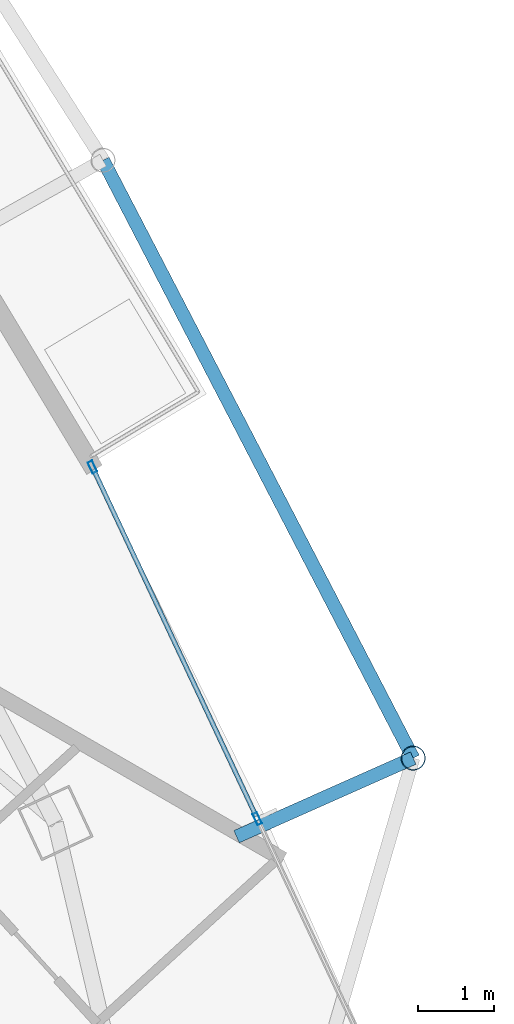
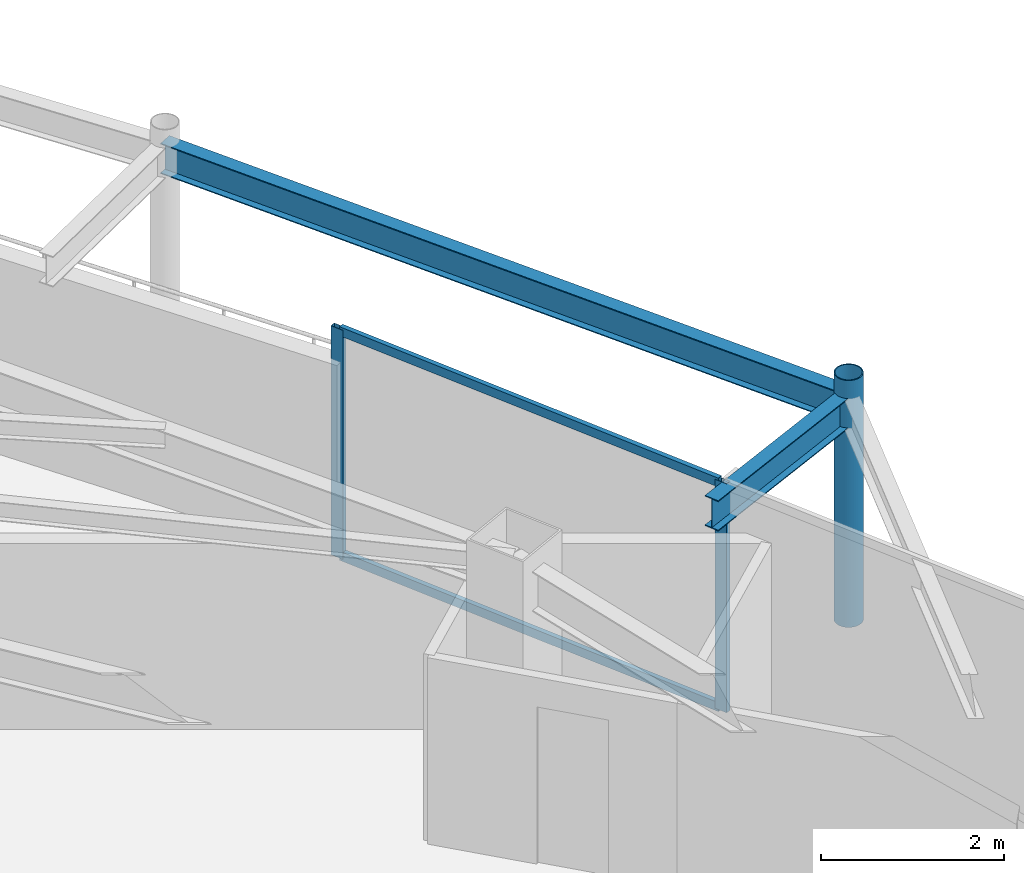
# One storey, part 20 of 34: 5 members, 2 beams, 1 element without a shape of its own.
"""IFC4 building model written with IfcOpenShell, lengths in metres."""

from ifc_helpers import new_model, si_unit, direction, frame, origin, origin_2d, place, context, subcontext, project, spatial, hollow_rectangle, hollow_circle, i_section, extrude, material, layer, layer_set, material_profile, profile_set, type_object, element, aggregate, save


model = new_model("IFC4")

# Units and contexts
model_context = context("Model", 3, precision=1e-05, world=origin(), true_north=direction((0.0, 1.0)))
body_context = subcontext(model_context, "Body", "Model", "MODEL_VIEW")
ifc_project = project(units=[si_unit("LENGTHUNIT", "METRE"), si_unit("AREAUNIT", "SQUARE_METRE"), si_unit("VOLUMEUNIT", "CUBIC_METRE"), si_unit("PLANEANGLEUNIT", "RADIAN"), si_unit("MASSUNIT", "GRAM", prefix="KILO")], contexts=[model_context])

# Site, building, storey
site_placement = place(None, origin())
site = spatial("IfcSite", under=ifc_project, at=site_placement, CompositionType="ELEMENT")
building_placement = place(site_placement, origin())
building = spatial("IfcBuilding", under=site, at=building_placement, Name="Orvanel Arch Residences", CompositionType="ELEMENT")
storey_placement = place(building_placement, frame((0.0, 0.0, 199.699951171875)))
storey = spatial("IfcBuildingStorey", under=building, at=storey_placement, Name="L56", CompositionType="ELEMENT", Elevation=199.699951171875)

# Curtain wall, members
ifc_material_1 = material(Name="Bronze-anodised aluminium AA6063-T6", Category="aluminium")
ifc_layer = layer(ifc_material_1, 0.175048828125)
ifc_layer_set = layer_set([ifc_layer], Name="Bronze-anodised aluminium AA6063-T6")
curtain_wall_type = type_object("IfcCurtainWallType", Name="CW4-HI-SYS", PredefinedType="NOTDEFINED", material=ifc_layer_set)
curtain_wall_placement = place(storey_placement, origin())
curtain_wall = element("IfcCurtainWall", 1, at=curtain_wall_placement, inside=storey, type_object=curtain_wall_type, Name="L56 CW4-HI-SYS Unitised Curtain Wall", PredefinedType="NOTDEFINED")
ifc_material_profile_1 = material_profile(ifc_material_1, hollow_rectangle(XDim=0.06494140625, YDim=0.159912109375, WallThickness=0.00390625, at=origin_2d()), Name="ALU160x65x4")
ifc_profile_set_1 = profile_set([ifc_material_profile_1], Name="Bronze-anodised aluminium AA6063-T6")
member_type_1 = type_object("IfcMemberType", Name="MUL-160x65", PredefinedType="MULLION", material=ifc_profile_set_1)
member_1_placement = place(storey_placement, frame((52.29541015625, 19.697998046875, 0.0), z_axis=(0.0, 0.0, 1.0), x_axis=(-0.905430980596, -0.424493509228, 0.0)))
member_1 = element("IfcMember", 2, at=member_1_placement, type_object=member_type_1, Name="CW-S4 mullion 2", PredefinedType="MULLION", context=body_context, shape_type="SweptSolid", body=[
    extrude(hollow_rectangle(XDim=0.06494140625, YDim=0.159912109375, WallThickness=0.00390625, at=origin_2d()), origin(), (0.0, 0.0, 1.0), 3.06005859375),
])
member_2_placement = place(storey_placement, frame((50.120849609375, 24.336669921875, 0.0), z_axis=(0.0, 0.0, 1.0), x_axis=(-0.905430980596, -0.424493509228, 0.0)))
member_2 = element("IfcMember", 3, at=member_2_placement, type_object=member_type_1, Name="CW-S4 mullion 3", PredefinedType="MULLION", context=body_context, shape_type="SweptSolid", body=[
    extrude(hollow_rectangle(XDim=0.06494140625, YDim=0.159912109375, WallThickness=0.00390625, at=origin_2d()), origin(), (0.0, 0.0, 1.0), 3.06005859375),
])

# Beams
ifc_material_2 = material(Name="Structural steel AS/NZS 3679.1 Grade 300 (300 MPa)", Category="steel")
ifc_material_profile_2 = material_profile(ifc_material_2, i_section(OverallWidth=0.177978515625, OverallDepth=0.406005859375, WebThickness=0.0078125, FlangeThickness=0.0126953125, at=origin_2d()), Name="410UB59.7")
ifc_profile_set_2 = profile_set([ifc_material_profile_2], Name="Structural steel AS/NZS 3679.1 Grade 300 (300 MPa)")
beam_type = type_object("IfcBeamType", Name="OB-410UB-EXT", PredefinedType="SPANDREL", material=ifc_profile_set_2)
beam_1_placement = place(storey_placement, frame((52.02197265625, 19.4609375, 2.85693359375), z_axis=(0.913732571389, 0.406316118291, 0.0), x_axis=(-0.406316118291, 0.913732571389, 0.0)))
element("IfcBeam", 4, at=beam_1_placement, inside=storey, type_object=beam_type, Name="L56 Outer Frame Radial Tie Beam 09", PredefinedType="SPANDREL", context=body_context, shape_type="SweptSolid", body=[
    extrude(i_section(OverallWidth=0.177978515625, OverallDepth=0.406005859375, WebThickness=0.0078125, FlangeThickness=0.0126953125, at=origin_2d()), origin(), (0.0, 0.0, 1.0), 2.550048828125),
])
beam_2_placement = place(storey_placement, frame((54.35205078125, 20.4970703125, 2.85693359375), z_axis=(-0.460455950574, 0.88768255451, 0.0), x_axis=(-0.88768255451, -0.460455950574, 0.0)))
element("IfcBeam", 5, at=beam_2_placement, inside=storey, type_object=beam_type, Name="L56 Outer Perimeter Floor Ring Beam 09", PredefinedType="SPANDREL", context=body_context, shape_type="SweptSolid", body=[
    extrude(i_section(OverallWidth=0.177978515625, OverallDepth=0.406005859375, WebThickness=0.0078125, FlangeThickness=0.0126953125, at=origin_2d()), origin(), (0.0, 0.0, 1.0), 8.8828125),
])

# Member
ifc_material_3 = material(Name="Structural steel AS/NZS 1163 C350L0 (Grade 350)", Category="steel")
ifc_material_profile_3 = material_profile(ifc_material_3, hollow_circle(Radius=0.162109375, WallThickness=0.0126953125, at=origin_2d()), Name="CHS324x12.7")
ifc_profile_set_3 = profile_set([ifc_material_profile_3], Name="Structural steel AS/NZS 1163 C350L0 (Grade 350)")
member_type_2 = type_object("IfcMemberType", Name="ST-324CHS-EXT", PredefinedType="STRUT", material=ifc_profile_set_3)
member_3_placement = place(storey_placement, frame((54.35205078125, 20.4970703125, 0.0), z_axis=(0.0, 0.0, 1.0), x_axis=(1.0, 0.0, 0.0)))
element("IfcMember", 6, at=member_3_placement, inside=storey, type_object=member_type_2, Name="L56 Outer Perimeter Frame Post 09", PredefinedType="STRUT", context=body_context, shape_type="SweptSolid", body=[
    extrude(hollow_circle(Radius=0.162109375, WallThickness=0.0126953125, at=origin_2d()), origin(), (0.0, 0.0, 1.0), 3.300048828125),
])

ifc_material_profile_4 = material_profile(ifc_material_1, hollow_rectangle(XDim=0.06005859375, YDim=0.1201171875, WallThickness=0.00341796875, at=origin_2d()), Name="ALU120x60x3.5")
ifc_profile_set_4 = profile_set([ifc_material_profile_4], Name="Bronze-anodised aluminium AA6063-T6")
member_type_3 = type_object("IfcMemberType", Name="TRN-120x60", PredefinedType="USERDEFINED", material=ifc_profile_set_4)
member_4_placement = place(storey_placement, frame((52.28173828125, 19.7275390625, 0.030029296875), z_axis=(-0.424520440489, 0.905418353916, 0.0), x_axis=(-0.905418353916, -0.424520440489, 0.0)))
member_4 = element("IfcMember", 7, at=member_4_placement, type_object=member_type_3, Name="CW-S4 transom 2.1", ObjectType="TRANSOM", PredefinedType="USERDEFINED", context=body_context, shape_type="SweptSolid", body=[
    extrude(hollow_rectangle(XDim=0.06005859375, YDim=0.1201171875, WallThickness=0.00341796875, at=origin_2d()), origin(), (0.0, 0.0, 1.0), 5.057861328125),
])

member_5_placement = place(storey_placement, frame((52.28173828125, 19.7275390625, 3.030029296875), z_axis=(-0.424520440489, 0.905418353916, 0.0), x_axis=(-0.905418353916, -0.424520440489, 0.0)))
member_5 = element("IfcMember", 8, at=member_5_placement, type_object=member_type_3, Name="CW-S4 transom 2.2", ObjectType="TRANSOM", PredefinedType="USERDEFINED", context=body_context, shape_type="SweptSolid", body=[
    extrude(hollow_rectangle(XDim=0.06005859375, YDim=0.1201171875, WallThickness=0.00341796875, at=origin_2d()), origin(), (0.0, 0.0, 1.0), 5.057861328125),
])

aggregate(curtain_wall, [member_1, member_2, member_4, member_5])

save(model, "model.ifc")
